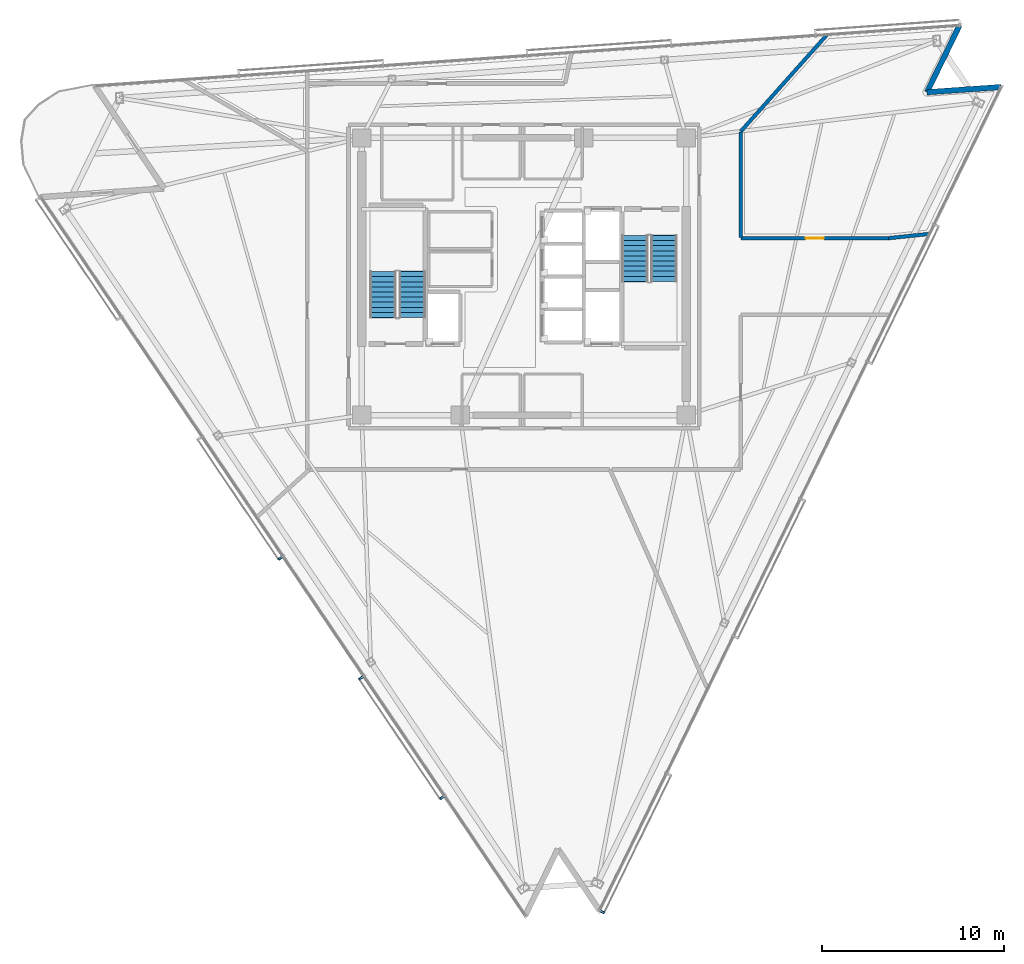
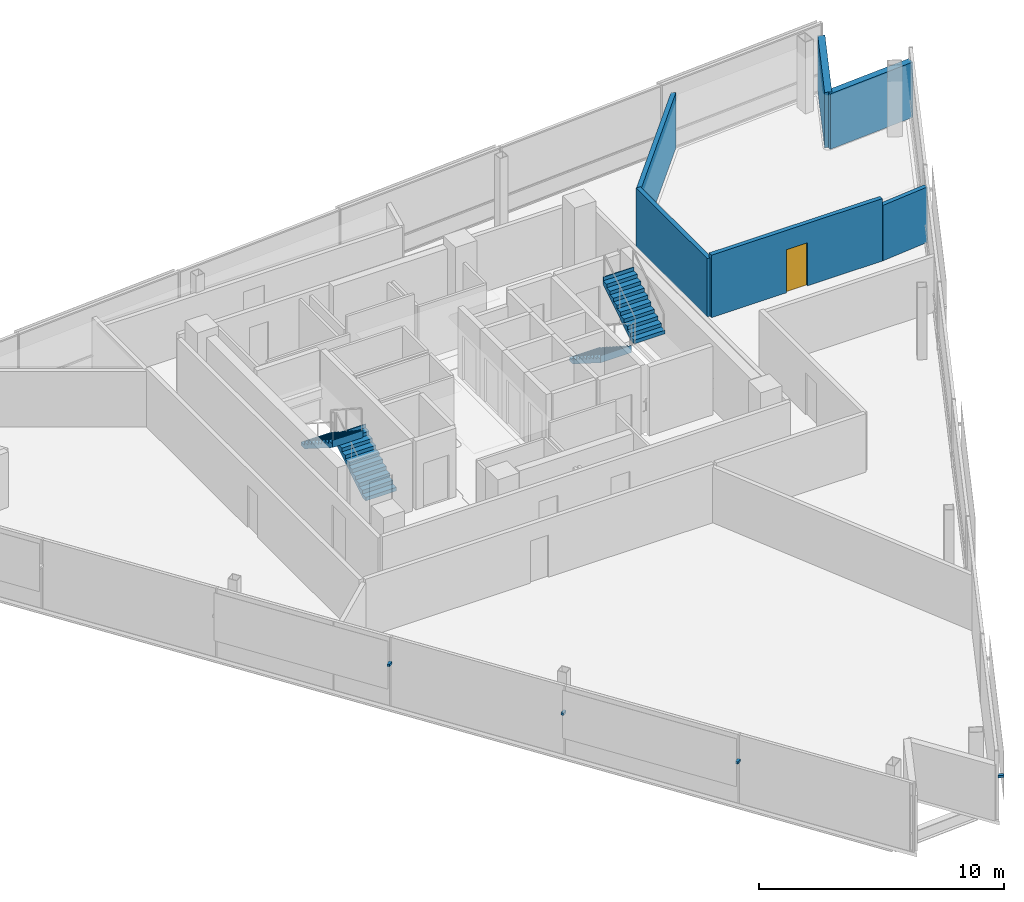
# One storey, part 11 of 16: 6 walls, 4 discrete accessories, 4 stair flights, 1 door, 1 opening, 2 elements without a shape of their own.
"""IFC4 building model written with IfcOpenShell, lengths in metres."""

from ifc_helpers import new_model, si_unit, direction, frame, frame_2d, origin, origin_2d, place, context, subcontext, project, spatial, polyline, rectangle, outline, extrude, material, layer, layer_set, type_object, element, fill, aggregate, save


model = new_model("IFC4")

# Units and contexts
model_context = context("Model", 3, precision=1e-05, world=origin(), true_north=direction((0.0, 1.0)))
body_context = subcontext(model_context, "Body", "Model", "MODEL_VIEW")
ifc_project = project(units=[si_unit("LENGTHUNIT", "METRE"), si_unit("AREAUNIT", "SQUARE_METRE"), si_unit("VOLUMEUNIT", "CUBIC_METRE"), si_unit("PLANEANGLEUNIT", "RADIAN"), si_unit("MASSUNIT", "GRAM", prefix="KILO")], contexts=[model_context])

# Site, building, storey
site_placement = place(None, origin())
site = spatial("IfcSite", under=ifc_project, at=site_placement, CompositionType="ELEMENT")
building_placement = place(site_placement, origin())
building = spatial("IfcBuilding", under=site, at=building_placement, Name="Tharavind Bronze Gate", CompositionType="ELEMENT")
storey_placement = place(building_placement, frame((0.0, 0.0, 271.39990234375)))
storey = spatial("IfcBuildingStorey", under=building, at=storey_placement, Name="L70", CompositionType="ELEMENT", Elevation=271.39990234375)

# Walls
ifc_material_1 = material(Name="Concrete C40/50", Category="concrete")
ifc_layer_1 = layer(ifc_material_1, 0.300048828125)
ifc_layer_set_1 = layer_set([ifc_layer_1], Name="Concrete C40/50")
wall_type_1 = type_object("IfcWallType", Name="EXTERIOR SPANDREL WALL 300", PredefinedType="STANDARD", material=ifc_layer_set_1)
for number, where, z_axis, x_axis, name in (
    (1, (26.1552734375, 10.388427734375, 0.0), (0.0, 0.0, 1.0), (-0.997565400947, -0.06973715533, 0.0), "L70 notch cheek wall 3A"),
    (2, (22.09716796875, 10.104736328125, 0.0), (0.0, 0.0, 1.0), (0.438405895792, 0.898777097246, 0.0), "L70 notch cheek wall 3B"),
):
    element("IfcWall", number, at=place(storey_placement, frame(where, z_axis=z_axis, x_axis=x_axis)), inside=storey, type_object=wall_type_1, Name=name, PredefinedType="STANDARD", context=body_context, shape_type="SweptSolid", body=[
        extrude(rectangle(XDim=4.068115234375, YDim=0.300048828125, at=frame_2d((2.0341796875, 0.0))), origin(), (0.0, 0.0, 1.0), 2.76513671875),
    ])
ifc_material_2 = material(Name="Aerated Concrete Block", Category="concrete")
ifc_layer_2 = layer(ifc_material_2, 0.199951171875)
ifc_layer_set_2 = layer_set([ifc_layer_2], Name="Aerated Concrete Block")
wall_type_2 = type_object("IfcWallType", Name="FIRE RATED PARTITION 200", PredefinedType="PARTITIONING", material=ifc_layer_set_2)
wall_1_placement = place(storey_placement, frame((22.214111328125, 2.334716796875, 0.0), z_axis=(0.0, 0.0, 1.0), x_axis=(-0.994523910136, -0.104509292252, 0.0)))
element("IfcWall", 3, at=wall_1_placement, inside=storey, type_object=wall_type_2, Name="L70 Aerospace Design Open Office partition", PredefinedType="PARTITIONING", context=body_context, shape_type="SweptSolid", body=[
    extrude(rectangle(XDim=2.244873046875, YDim=0.199951171875, at=frame_2d((1.12255859375, 0.0))), origin(), (0.0, 0.0, 1.0), 2.76513671875),
])

# Wall, opening, door
wall_2_placement = place(storey_placement, frame((19.97900390625, 2.10009765625, 0.0), z_axis=(0.0, 0.0, 1.0), x_axis=(-1.0, 0.0, 0.0)))
wall_2 = element("IfcWall", 4, at=wall_2_placement, inside=storey, type_object=wall_type_2, Name="L70 Aerospace Design Open Office partition", PredefinedType="PARTITIONING", context=body_context, shape_type="SweptSolid", body=[
    extrude(rectangle(XDim=8.073974609375, YDim=0.199951171875, at=frame_2d((4.037109375, 0.0))), origin(), (0.0, 0.0, 1.0), 3.114990234375),
])
opening_placement = place(wall_2_placement, frame((3.537109375, 0.0, 0.0)))
opening = element("IfcOpeningElement", 5, at=opening_placement, cuts=wall_2, Name="Opening ID04", PredefinedType="OPENING", context=body_context, shape_type="SweptSolid", body=[
    extrude(rectangle(XDim=1.0, YDim=2.14990234375, at=frame_2d((0.5, 1.074951171875))), frame((0.0, 0.11009765625, 0.0), z_axis=(0.0, -1.0, 0.0), x_axis=(1.0, 0.0, 0.0)), (0.0, 0.0, 1.0), 0.219951171875),
])
ifc_material_3 = material(Name="Bronze Framed Acoustic Timber", Category="wood")
door_type = type_object("IfcDoorType", Name="OFFICE TENANCY DOOR 1000X2150", OperationType="SINGLE_SWING_RIGHT", PredefinedType="DOOR", material=ifc_material_3)
door_placement = place(opening_placement, origin())
door = element("IfcDoor", 6, at=door_placement, inside=storey, type_object=door_type, Name="L70 Aerospace Design Open Office door", OperationType="SINGLE_SWING_RIGHT", OverallHeight=2.14990234375, OverallWidth=1.0, PredefinedType="DOOR", context=body_context, shape_type="SweptSolid", body=[
    extrude(rectangle(XDim=1.0, YDim=2.14990234375, at=frame_2d((0.5, 1.074951171875))), frame((0.0, 0.02490234375, 0.0), z_axis=(0.0, -1.0, 0.0), x_axis=(1.0, 0.0, 0.0)), (0.0, 0.0, 1.0), 0.050048828125),
])
fill(opening, door)

# Walls
wall_3_placement = place(storey_placement, frame((11.8798828125, 2.125, 0.0), z_axis=(0.0, 0.0, 1.0), x_axis=(0.0, 1.0, 0.0)))
element("IfcWall", 7, at=wall_3_placement, inside=storey, type_object=wall_type_2, Name="L70 Aerospace Design Open Office partition", PredefinedType="PARTITIONING", context=body_context, shape_type="SweptSolid", body=[
    extrude(rectangle(XDim=5.811279296875, YDim=0.199951171875, at=frame_2d((2.90576171875, 0.0))), origin(), (0.0, 0.0, 1.0), 2.9150390625),
])
wall_4_placement = place(storey_placement, frame((11.88623046875, 7.952880859375, 0.0), z_axis=(0.0, 0.0, 1.0), x_axis=(0.66568987099, 0.746228514372, 0.0)))
element("IfcWall", 8, at=wall_4_placement, inside=storey, type_object=wall_type_2, Name="L70 Aerospace Design Open Office partition", PredefinedType="PARTITIONING", context=body_context, shape_type="SweptSolid", body=[
    extrude(rectangle(XDim=7.1025390625, YDim=0.199951171875, at=frame_2d((3.55126953125, 0.0))), origin(), (0.0, 0.0, 1.0), 2.76513671875),
])

# Stair, stair flights
stair_type = type_object("IfcStairType", Name="CORE HALF TURN STAIR 1450", PredefinedType="HALF_TURN_STAIR", material=ifc_material_1)
stair_1_placement = place(storey_placement, origin())
stair_1 = element("IfcStair", 9, at=stair_1_placement, inside=storey, type_object=stair_type, Name="L70 Protected Exit Stair ST1", PredefinedType="HALF_TURN_STAIR")
stair_flight_type = type_object("IfcStairFlightType", Name="CORE STAIR FLIGHT 1450", PredefinedType="STRAIGHT", material=ifc_material_1)
stair_flight_1_placement = place(storey_placement, frame((-6.125, -2.25, 0.0), z_axis=(0.0, 0.0, 1.0), x_axis=(0.0, 1.0, 0.0)))
stair_flight_1 = element("IfcStairFlight", 10, at=stair_flight_1_placement, type_object=stair_flight_type, Name="ST1 flight 1", NumberOfRisers=10, NumberOfTreads=9, PredefinedType="STRAIGHT", RiserHeight=0.18, TreadLength=0.28, context=body_context, shape_type="SweptSolid", body=[
    extrude(outline(polyline([(0.0, 0.0), (0.0, 0.179931640625), (0.280029296875, 0.179931640625), (0.280029296875, 0.360107421875), (0.56005859375, 0.360107421875), (0.56005859375, 0.5400390625), (0.840087890625, 0.5400390625), (0.840087890625, 0.719970703125), (1.1201171875, 0.719970703125), (1.1201171875, 0.89990234375), (1.39990234375, 0.89990234375), (1.39990234375, 1.080078125), (1.679931640625, 1.080078125), (1.679931640625, 1.260009765625), (1.9599609375, 1.260009765625), (1.9599609375, 1.43994140625), (2.239990234375, 1.43994140625), (2.239990234375, 1.6201171875), (2.52001953125, 1.6201171875), (2.52001953125, 1.800048828125), (2.555908203125, 1.800048828125), (2.555908203125, 1.44189453125), (0.277099609375, 0.0), (0.0, 0.0)])), frame((0.0, 0.72509765625, 0.0), z_axis=(0.0, -1.0, 0.0), x_axis=(1.0, 0.0, 0.0)), (0.0, 0.0, 1.0), 1.449951171875),
])
stair_flight_2_placement = place(storey_placement, frame((-7.72509765625, 0.27001953125, 1.800048828125), z_axis=(0.0, 0.0, 1.0), x_axis=(0.0, -1.0, 0.0)))
stair_flight_2 = element("IfcStairFlight", 11, at=stair_flight_2_placement, type_object=stair_flight_type, Name="ST1 flight 2", NumberOfRisers=10, NumberOfTreads=9, PredefinedType="STRAIGHT", RiserHeight=0.18, TreadLength=0.28, context=body_context, shape_type="SweptSolid", body=[
    extrude(outline(polyline([(0.0, 0.0), (0.0, 0.179931640625), (0.280029296875, 0.179931640625), (0.280029296875, 0.360107421875), (0.56005859375, 0.360107421875), (0.56005859375, 0.5400390625), (0.840087890625, 0.5400390625), (0.840087890625, 0.719970703125), (1.1201171875, 0.719970703125), (1.1201171875, 0.89990234375), (1.39990234375, 0.89990234375), (1.39990234375, 1.080078125), (1.679931640625, 1.080078125), (1.679931640625, 1.260009765625), (1.9599609375, 1.260009765625), (1.9599609375, 1.43994140625), (2.239990234375, 1.43994140625), (2.239990234375, 1.6201171875), (2.52001953125, 1.6201171875), (2.52001953125, 1.800048828125), (2.555908203125, 1.800048828125), (2.555908203125, 1.44189453125), (0.277099609375, 0.0), (0.0, 0.0)])), frame((0.0, 0.72509765625, 0.0), z_axis=(0.0, -1.0, 0.0), x_axis=(1.0, 0.0, 0.0)), (0.0, 0.0, 1.0), 1.449951171875),
])
aggregate(stair_1, [stair_flight_1, stair_flight_2])

stair_2_placement = place(storey_placement, origin())
stair_2 = element("IfcStair", 12, at=stair_2_placement, inside=storey, type_object=stair_type, Name="L70 Protected Exit Stair ST2", PredefinedType="HALF_TURN_STAIR")
stair_flight_3_placement = place(storey_placement, frame((6.074951171875, 2.25, 0.0), z_axis=(0.0, 0.0, 1.0), x_axis=(0.0, -1.0, 0.0)))
stair_flight_3 = element("IfcStairFlight", 13, at=stair_flight_3_placement, type_object=stair_flight_type, Name="ST2 flight 1", NumberOfRisers=10, NumberOfTreads=9, PredefinedType="STRAIGHT", RiserHeight=0.18, TreadLength=0.28, context=body_context, shape_type="SweptSolid", body=[
    extrude(outline(polyline([(0.0, 0.0), (0.0, 0.179931640625), (0.280029296875, 0.179931640625), (0.280029296875, 0.360107421875), (0.56005859375, 0.360107421875), (0.56005859375, 0.5400390625), (0.840087890625, 0.5400390625), (0.840087890625, 0.719970703125), (1.1201171875, 0.719970703125), (1.1201171875, 0.89990234375), (1.39990234375, 0.89990234375), (1.39990234375, 1.080078125), (1.679931640625, 1.080078125), (1.679931640625, 1.260009765625), (1.9599609375, 1.260009765625), (1.9599609375, 1.43994140625), (2.239990234375, 1.43994140625), (2.239990234375, 1.6201171875), (2.52001953125, 1.6201171875), (2.52001953125, 1.800048828125), (2.555908203125, 1.800048828125), (2.555908203125, 1.44189453125), (0.277099609375, 0.0), (0.0, 0.0)])), frame((0.0, 0.72509765625, 0.0), z_axis=(0.0, -1.0, 0.0), x_axis=(1.0, 0.0, 0.0)), (0.0, 0.0, 1.0), 1.449951171875),
])
stair_flight_4_placement = place(storey_placement, frame((7.675048828125, -0.27001953125, 1.800048828125), z_axis=(0.0, 0.0, 1.0), x_axis=(0.0, 1.0, 0.0)))
stair_flight_4 = element("IfcStairFlight", 14, at=stair_flight_4_placement, type_object=stair_flight_type, Name="ST2 flight 2", NumberOfRisers=10, NumberOfTreads=9, PredefinedType="STRAIGHT", RiserHeight=0.18, TreadLength=0.28, context=body_context, shape_type="SweptSolid", body=[
    extrude(outline(polyline([(0.0, 0.0), (0.0, 0.179931640625), (0.280029296875, 0.179931640625), (0.280029296875, 0.360107421875), (0.56005859375, 0.360107421875), (0.56005859375, 0.5400390625), (0.840087890625, 0.5400390625), (0.840087890625, 0.719970703125), (1.1201171875, 0.719970703125), (1.1201171875, 0.89990234375), (1.39990234375, 0.89990234375), (1.39990234375, 1.080078125), (1.679931640625, 1.080078125), (1.679931640625, 1.260009765625), (1.9599609375, 1.260009765625), (1.9599609375, 1.43994140625), (2.239990234375, 1.43994140625), (2.239990234375, 1.6201171875), (2.52001953125, 1.6201171875), (2.52001953125, 1.800048828125), (2.555908203125, 1.800048828125), (2.555908203125, 1.44189453125), (0.277099609375, 0.0), (0.0, 0.0)])), frame((0.0, 0.72509765625, 0.0), z_axis=(0.0, -1.0, 0.0), x_axis=(1.0, 0.0, 0.0)), (0.0, 0.0, 1.0), 1.449951171875),
])
aggregate(stair_2, [stair_flight_3, stair_flight_4])

# Discrete accessories
ifc_material_4 = material(Name="Stainless Steel 316", Category="steel")
discrete_accessory_type = type_object("IfcDiscreteAccessoryType", Name="SOLAR SCREEN STANDOFF BRACKET", PredefinedType="BRACKET", material=ifc_material_4)
for number, where, z_axis, x_axis, name in (
    (15, (-13.3603515625, -15.447265625, 2.10009765625), (0.0, 0.0, 1.0), (0.559191456526, -0.82903854853, 0.0), "CW-L70-S1 solar screen bracket 3.2"),
    (16, (-8.931396484375, -22.013427734375, 2.10009765625), (0.0, 0.0, 1.0), (0.559191456526, -0.82903854853, 0.0), "CW-L70-S1 solar screen bracket 5.1"),
    (17, (-4.502197265625, -28.579833984375, 2.10009765625), (0.0, 0.0, 1.0), (0.559191456526, -0.82903854853, 0.0), "CW-L70-S1 solar screen bracket 5.2"),
    (18, (4.2958984375, -34.840576171875, 2.10009765625), (0.0, 0.0, 1.0), (0.43837271548, 0.898793281196, 0.0), "CW-L70-S2 solar screen bracket 1.1"),
):
    element("IfcDiscreteAccessory", number, at=place(storey_placement, frame(where, z_axis=z_axis, x_axis=x_axis)), inside=storey, type_object=discrete_accessory_type, Name=name, PredefinedType="BRACKET", context=body_context, shape_type="SweptSolid", body=[
        extrude(rectangle(XDim=0.1201171875, YDim=0.239990234375, at=origin_2d()), origin(), (0.0, 0.0, 1.0), 0.1201171875),
    ])

save(model, "model.ifc")
